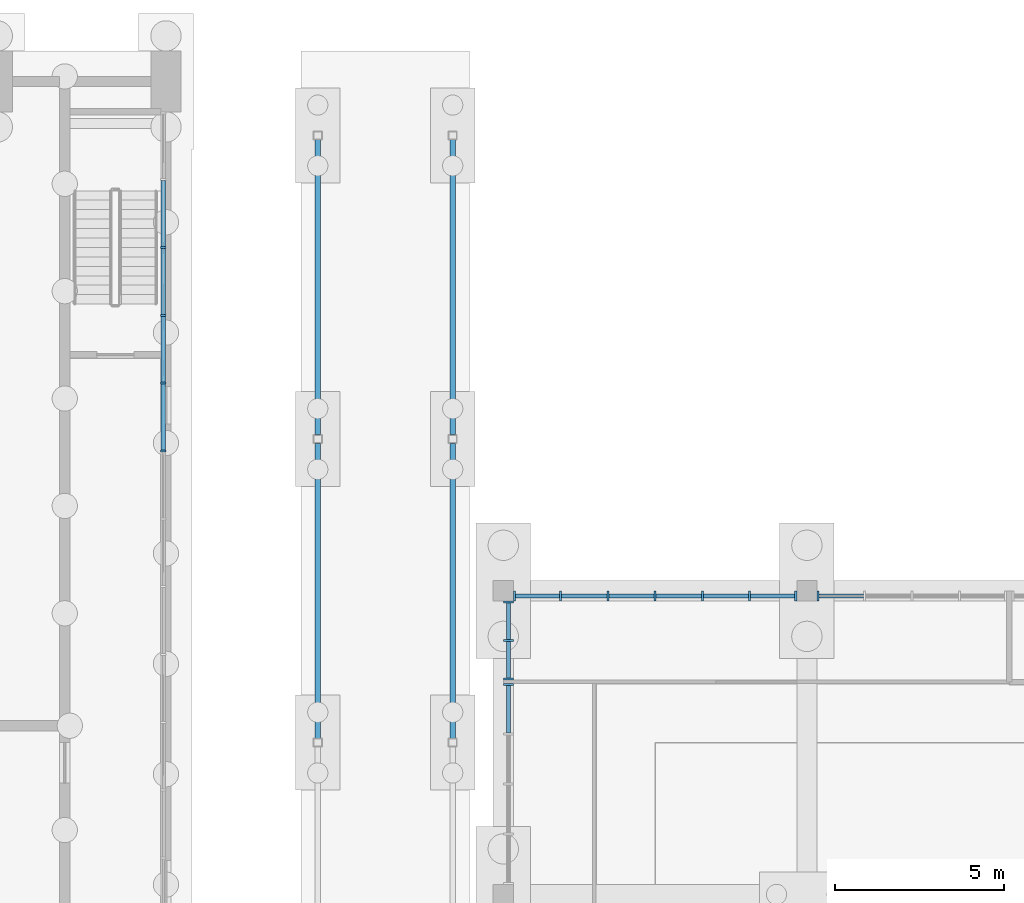
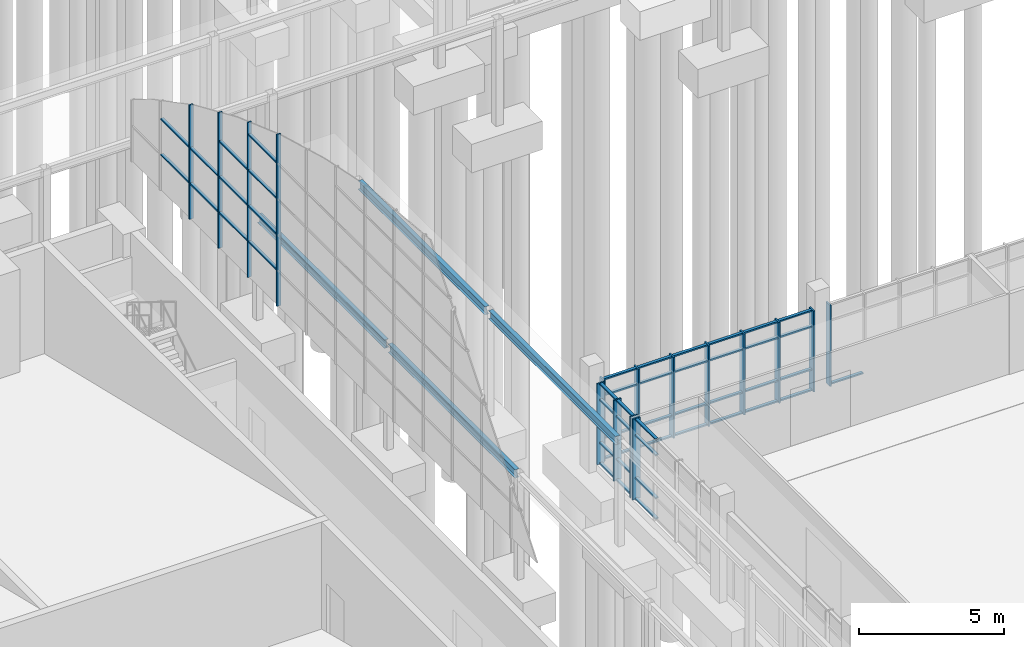
# One storey, part 33 of 106: 64 members, 4 beams, 5 elements without a shape of their own.
"""IFC4 building model written with IfcOpenShell, lengths in metres."""

import ifcopenshell
import ifcopenshell.guid

model = None  # the IFC model being written
_history = None  # IfcOwnerHistory: only IFC2X3 demands one
_inside = {}  # id of a spatial element -> (the spatial element, [elements in it])
_under = {}  # id of a project, library or spatial element -> (it, [spatial elements below it])
_declared = {}  # id of a project -> (the project, [libraries it declares])
_typed = {}  # id of a type object -> (the type object, [elements of that type])
_made_of = {}  # id of a material, layer set ... -> (it, [elements and type objects made of it])


def new_model(schema):
    """Start an empty IFC model of exactly this schema.

    Asked for "IFC4X3", IfcOpenShell would pick the latest addendum, in which some entities
    have other attributes; the version numbers below select the first issue.
    IFC2X3 requires an IfcOwnerHistory on every rooted entity: one is made here for all.
    """
    global model, _history
    if schema == "IFC4X3":
        model = ifcopenshell.file(schema_version=(4, 3, 0, 0))
    else:
        model = ifcopenshell.file(schema=schema)
    _inside.clear()
    _under.clear()
    _declared.clear()
    _typed.clear()
    _made_of.clear()
    _history = None
    if model.schema == "IFC2X3":
        org = make("IfcOrganization", Name="unknown")
        user = make(
            "IfcPersonAndOrganization",
            ThePerson=make("IfcPerson", FamilyName="unknown"),
            TheOrganization=org,
        )
        app = make(
            "IfcApplication",
            ApplicationDeveloper=org,
            Version="unknown",
            ApplicationFullName="unknown",
            ApplicationIdentifier="unknown",
        )
        _history = make(
            "IfcOwnerHistory",
            OwningUser=user,
            OwningApplication=app,
            ChangeAction="ADDED",
            CreationDate=0,
        )
    return model


def make(cls, **values):
    """One entity of the class cls with the attributes given. An attribute that is None is left unset."""
    return model.create_entity(
        cls, **{name: value for name, value in values.items() if value is not None}
    )


def rooted(cls, **values):
    """An entity with a GlobalId (a new one), such as an element, a storey or a relation."""
    return make(cls, GlobalId=ifcopenshell.guid.new(), OwnerHistory=_history, **values)


def si_unit(unit_type, name, prefix=None):
    """IfcSIUnit, for example si_unit("LENGTHUNIT", "METRE", prefix="MILLI")."""
    return make("IfcSIUnit", UnitType=unit_type, Prefix=prefix, Name=name)


def assignment(units):
    """IfcUnitAssignment: the units of a project."""
    return None if units is None else make("IfcUnitAssignment", Units=units)


def point(xyz):
    """IfcCartesianPoint."""
    return None if xyz is None else make("IfcCartesianPoint", Coordinates=xyz)


def direction(xyz):
    """IfcDirection."""
    return None if xyz is None else make("IfcDirection", DirectionRatios=xyz)


def frame(location, z_axis=None, x_axis=None):
    """IfcAxis2Placement3D, a coordinate frame: its origin and axes. An axis left out is left unset."""
    return make(
        "IfcAxis2Placement3D",
        Location=point(location),
        Axis=direction(z_axis),
        RefDirection=direction(x_axis),
    )


def frame_2d(location, x_axis=None):
    """IfcAxis2Placement2D, a coordinate frame in the plane: its origin and x axis."""
    return make(
        "IfcAxis2Placement2D", Location=point(location), RefDirection=direction(x_axis)
    )


def origin():
    """The frame at (0, 0, 0) with its axes left unset."""
    return frame((0.0, 0.0, 0.0))


def origin_2d():
    """The frame at (0, 0) in the plane with its x axis left unset."""
    return frame_2d((0.0, 0.0))


def place(relative_to, where):
    """IfcLocalPlacement: puts the frame where relative to a parent placement (None: the world)."""
    return make(
        "IfcLocalPlacement", PlacementRelTo=relative_to, RelativePlacement=where
    )


def context(
    kind, dimensions, precision=None, world=None, true_north=None, identifier=None
):
    """IfcGeometricRepresentationContext, for example the 3D "Model" context."""
    return make(
        "IfcGeometricRepresentationContext",
        ContextIdentifier=identifier,
        ContextType=kind,
        CoordinateSpaceDimension=dimensions,
        Precision=precision,
        WorldCoordinateSystem=world,
        TrueNorth=true_north,
    )


def subcontext(parent, identifier, kind, view, scale=None):
    """IfcGeometricRepresentationSubContext, for example "Body" below "Model"."""
    return make(
        "IfcGeometricRepresentationSubContext",
        ContextIdentifier=identifier,
        ContextType=kind,
        ParentContext=parent,
        TargetScale=scale,
        TargetView=view,
    )


def project(units=None, contexts=None):
    """IfcProject with its units and contexts."""
    return rooted(
        "IfcProject",
        Name="project",
        RepresentationContexts=contexts,
        UnitsInContext=assignment(units),
    )


def spatial(cls, under=None, at=None, **own):
    """A site, building, storey or space (cls), placed at a placement, below another one or the project."""
    s = rooted(cls, ObjectPlacement=at, **own)
    if under is not None:
        _under.setdefault(under.id(), (under, []))[1].append(s)
    return s


def profile(cls, at=None, kind="AREA", **sizes):
    """A parametric profile (cls). Its sizes go by their IFC names, for example OverallWidth=200.0."""
    return make(cls, ProfileType=kind, Position=at, **sizes)


def rectangle(**sizes):
    """IfcRectangleProfileDef."""
    return profile("IfcRectangleProfileDef", **sizes)


def i_section(**sizes):
    """IfcIShapeProfileDef."""
    return profile("IfcIShapeProfileDef", **sizes)


def extrude(swept, where, along, depth):
    """IfcExtrudedAreaSolid: the profile swept, set in the frame where, extruded along a direction by depth."""
    return make(
        "IfcExtrudedAreaSolid",
        SweptArea=swept,
        Position=where,
        ExtrudedDirection=direction(along),
        Depth=depth,
    )


def shape(context_of_items, identifier, shape_type, items):
    """IfcShapeRepresentation: the items that make up one representation, for example the "Body"."""
    return make(
        "IfcShapeRepresentation",
        ContextOfItems=context_of_items,
        RepresentationIdentifier=identifier,
        RepresentationType=shape_type,
        Items=items,
    )


def material(Name=None, Category=None):
    """IfcMaterial."""
    return make("IfcMaterial", Name=Name, Category=Category)


def material_profile(
    of_material, cross_section, Name=None, Category=None, Priority=None
):
    """IfcMaterialProfile: a cross section and its material."""
    return make(
        "IfcMaterialProfile",
        Name=Name,
        Material=of_material,
        Profile=cross_section,
        Priority=Priority,
        Category=Category,
    )


def profile_set(profiles, Name=None, composite=None):
    """IfcMaterialProfileSet."""
    return make(
        "IfcMaterialProfileSet",
        Name=Name,
        MaterialProfiles=profiles,
        CompositeProfile=composite,
    )


def made_of(thing, what):
    """Note that an element or type object is made of a material, layer set ...; save() writes the relation."""
    if what is not None:
        _made_of.setdefault(what.id(), (what, []))[1].append(thing)
    return thing


def type_object(cls, material=None, **own):
    """A type object (cls), such as IfcWallType, which elements share."""
    return made_of(rooted(cls, **own), material)


def element(
    cls,
    number,
    at=None,
    inside=None,
    cuts=None,
    type_object=None,
    material=None,
    context=None,
    identifier="Body",
    shape_type=None,
    held_by="IfcProductDefinitionShape",
    body=None,
    shapes=None,
    **own,
):
    """One element of the class cls, such as IfcWall. Its Tag is "e" and its number.

    at: its placement. inside: the storey or other place that contains it. cuts: it is an
    opening in that element (IfcRelVoidsElement). A single representation is given by context,
    identifier, shape_type and body (its items); several are given by shapes. held_by: the class
    of the entity that holds the representations. save() writes the other relations.
    """
    e = rooted(cls, Tag="e%d" % number, ObjectPlacement=at, **own)
    if body is not None:
        shapes = [shape(context, identifier, shape_type, body)]
    if shapes is not None:
        e.Representation = make(held_by, Representations=shapes)
    if inside is not None:
        _inside.setdefault(inside.id(), (inside, []))[1].append(e)
    if cuts is not None:
        rooted(
            "IfcRelVoidsElement", RelatingBuildingElement=cuts, RelatedOpeningElement=e
        )
    if type_object is not None:
        _typed.setdefault(type_object.id(), (type_object, []))[1].append(e)
    return made_of(e, material)


def aggregate(whole, parts):
    """IfcRelAggregates: a whole, such as a stair, and the parts it consists of."""
    return rooted("IfcRelAggregates", RelatingObject=whole, RelatedObjects=parts)


def save(model, path):
    """Write the relations noted so far, then the file.

    IfcRelAggregates (storeys below a building ...), IfcRelContainedInSpatialStructure (elements
    in a storey), IfcRelDefinesByType, IfcRelAssociatesMaterial and IfcRelDeclares: one each for
    every whole, place, type object, material and project.
    """
    for whole, parts in _under.values():
        aggregate(whole, parts)
    for where, things in _inside.values():
        rooted(
            "IfcRelContainedInSpatialStructure",
            RelatedElements=things,
            RelatingStructure=where,
        )
    for kind, things in _typed.values():
        rooted("IfcRelDefinesByType", RelatedObjects=things, RelatingType=kind)
    for what, things in _made_of.values():
        rooted("IfcRelAssociatesMaterial", RelatedObjects=things, RelatingMaterial=what)
    for by, libraries in _declared.values():
        rooted("IfcRelDeclares", RelatingContext=by, RelatedDefinitions=libraries)
    model.write(path)


model = new_model("IFC4")

# Units and contexts
model_context = context("Model", 3, precision=1e-05, world=origin(), true_north=direction((0.0, 1.0)))
body_context = subcontext(model_context, "Body", "Model", "MODEL_VIEW")
ifc_project = project(units=[si_unit("LENGTHUNIT", "METRE"), si_unit("AREAUNIT", "SQUARE_METRE"), si_unit("VOLUMEUNIT", "CUBIC_METRE"), si_unit("PLANEANGLEUNIT", "RADIAN"), si_unit("MASSUNIT", "GRAM", prefix="KILO")], contexts=[model_context])

# Site, building, storey
site_placement = place(None, origin())
site = spatial("IfcSite", under=ifc_project, at=site_placement, CompositionType="ELEMENT")
building_placement = place(site_placement, origin())
building = spatial("IfcBuilding", under=site, at=building_placement, Name="Merrow Basin Faculty of Sciences", CompositionType="ELEMENT")
storey_placement = place(building_placement, origin())
storey = spatial("IfcBuildingStorey", under=building, at=storey_placement, Name="L00", CompositionType="ELEMENT", Elevation=0.0)

# Curtain wall, members
ifc_material_1 = material(Name="Aluminium alloy 6063", Category="aluminium")
curtain_wall_type_1 = type_object("IfcCurtainWallType", Name="Arched curtain wall 160", PredefinedType="NOTDEFINED", material=ifc_material_1)
curtain_wall_1_placement = place(storey_placement, origin())
curtain_wall_1 = element("IfcCurtainWall", 1, at=curtain_wall_1_placement, inside=storey, type_object=curtain_wall_type_1, Name="East gable glazing C", PredefinedType="NOTDEFINED")
ifc_material_2 = material(Name="Aluminium alloy 6063", Category="aluminium")
ifc_material_profile_1 = material_profile(ifc_material_2, rectangle(XDim=0.159912109375, YDim=0.06005859375, at=origin_2d()))
ifc_profile_set_1 = profile_set([ifc_material_profile_1], Name="Aluminium alloy 6063")
member_type_1 = type_object("IfcMemberType", Name="Aluminium gable mullion 60x160", PredefinedType="MULLION", material=ifc_profile_set_1)
member_1_placement = place(storey_placement, frame((34.919921875, 40.14404296875, 7.5), z_axis=(0.0, 0.0, 1.0), x_axis=(1.0, 0.0, 0.0)))
member_1 = element("IfcMember", 2, at=member_1_placement, type_object=member_type_1, Name="CW4 mullion 14", PredefinedType="MULLION", context=body_context, shape_type="SweptSolid", body=[
    extrude(rectangle(XDim=0.159912109375, YDim=0.06005859375, at=origin_2d()), origin(), (0.0, 0.0, 1.0), 7.222900390625),
])
member_2_placement = place(storey_placement, frame((34.919921875, 42.156005859375, 7.5), z_axis=(0.0, 0.0, 1.0), x_axis=(1.0, 0.0, 0.0)))
member_2 = element("IfcMember", 3, at=member_2_placement, type_object=member_type_1, Name="CW4 mullion 15", PredefinedType="MULLION", context=body_context, shape_type="SweptSolid", body=[
    extrude(rectangle(XDim=0.159912109375, YDim=0.06005859375, at=origin_2d()), origin(), (0.0, 0.0, 1.0), 6.510009765625),
])
member_3_placement = place(storey_placement, frame((34.919921875, 44.1669921875, 7.5), z_axis=(0.0, 0.0, 1.0), x_axis=(1.0, 0.0, 0.0)))
member_3 = element("IfcMember", 4, at=member_3_placement, type_object=member_type_1, Name="CW4 mullion 16", PredefinedType="MULLION", context=body_context, shape_type="SweptSolid", body=[
    extrude(rectangle(XDim=0.159912109375, YDim=0.06005859375, at=origin_2d()), origin(), (0.0, 0.0, 1.0), 5.698974609375),
])
member_4_placement = place(storey_placement, frame((34.919921875, 46.177978515625, 7.5), z_axis=(0.0, 0.0, 1.0), x_axis=(1.0, 0.0, 0.0)))
member_4 = element("IfcMember", 5, at=member_4_placement, type_object=member_type_1, Name="CW4 mullion 17", PredefinedType="MULLION", context=body_context, shape_type="SweptSolid", body=[
    extrude(rectangle(XDim=0.159912109375, YDim=0.06005859375, at=origin_2d()), origin(), (0.0, 0.0, 1.0), 4.802001953125),
])
ifc_material_3 = material(Name="Aluminium alloy 6063", Category="aluminium")
ifc_material_profile_2 = material_profile(ifc_material_3, rectangle(XDim=0.1201171875, YDim=0.06005859375, at=origin_2d()))
ifc_profile_set_2 = profile_set([ifc_material_profile_2], Name="Aluminium alloy 6063")
member_type_2 = type_object("IfcMemberType", Name="Aluminium gable transom 60x120", PredefinedType="USERDEFINED", material=ifc_profile_set_2)
member_5_placement = place(storey_placement, frame((34.919921875, 40.174072265625, 9.0), z_axis=(0.0, 1.0, 0.0), x_axis=(-1.0, 0.0, 0.0)))
member_5 = element("IfcMember", 6, at=member_5_placement, type_object=member_type_2, Name="CW4 transom 14.1", ObjectType="TRANSOM", PredefinedType="USERDEFINED", context=body_context, shape_type="SweptSolid", body=[
    extrude(rectangle(XDim=0.1201171875, YDim=0.06005859375, at=origin_2d()), origin(), (0.0, 0.0, 1.0), 1.951904296875),
])
member_6_placement = place(storey_placement, frame((34.919921875, 40.174072265625, 10.5), z_axis=(0.0, 1.0, 0.0), x_axis=(-1.0, 0.0, 0.0)))
member_6 = element("IfcMember", 7, at=member_6_placement, type_object=member_type_2, Name="CW4 transom 14.2", ObjectType="TRANSOM", PredefinedType="USERDEFINED", context=body_context, shape_type="SweptSolid", body=[
    extrude(rectangle(XDim=0.1201171875, YDim=0.06005859375, at=origin_2d()), origin(), (0.0, 0.0, 1.0), 1.951904296875),
])
member_7_placement = place(storey_placement, frame((34.919921875, 40.174072265625, 12.0), z_axis=(0.0, 1.0, 0.0), x_axis=(-1.0, 0.0, 0.0)))
member_7 = element("IfcMember", 8, at=member_7_placement, type_object=member_type_2, Name="CW4 transom 14.3", ObjectType="TRANSOM", PredefinedType="USERDEFINED", context=body_context, shape_type="SweptSolid", body=[
    extrude(rectangle(XDim=0.1201171875, YDim=0.06005859375, at=origin_2d()), origin(), (0.0, 0.0, 1.0), 1.951904296875),
])
member_8_placement = place(storey_placement, frame((34.919921875, 40.174072265625, 13.5), z_axis=(0.0, 1.0, 0.0), x_axis=(-1.0, 0.0, 0.0)))
member_8 = element("IfcMember", 9, at=member_8_placement, type_object=member_type_2, Name="CW4 transom 14.4", ObjectType="TRANSOM", PredefinedType="USERDEFINED", context=body_context, shape_type="SweptSolid", body=[
    extrude(rectangle(XDim=0.1201171875, YDim=0.06005859375, at=origin_2d()), origin(), (0.0, 0.0, 1.0), 1.951904296875),
])
member_9_placement = place(storey_placement, frame((34.919921875, 42.18603515625, 9.0), z_axis=(0.0, 1.0, 0.0), x_axis=(-1.0, 0.0, 0.0)))
member_9 = element("IfcMember", 10, at=member_9_placement, type_object=member_type_2, Name="CW4 transom 15.1", ObjectType="TRANSOM", PredefinedType="USERDEFINED", context=body_context, shape_type="SweptSolid", body=[
    extrude(rectangle(XDim=0.1201171875, YDim=0.06005859375, at=origin_2d()), origin(), (0.0, 0.0, 1.0), 1.950927734375),
])
member_10_placement = place(storey_placement, frame((34.919921875, 42.18603515625, 10.5), z_axis=(0.0, 1.0, 0.0), x_axis=(-1.0, 0.0, 0.0)))
member_10 = element("IfcMember", 11, at=member_10_placement, type_object=member_type_2, Name="CW4 transom 15.2", ObjectType="TRANSOM", PredefinedType="USERDEFINED", context=body_context, shape_type="SweptSolid", body=[
    extrude(rectangle(XDim=0.1201171875, YDim=0.06005859375, at=origin_2d()), origin(), (0.0, 0.0, 1.0), 1.950927734375),
])
member_11_placement = place(storey_placement, frame((34.919921875, 42.18603515625, 12.0), z_axis=(0.0, 1.0, 0.0), x_axis=(-1.0, 0.0, 0.0)))
member_11 = element("IfcMember", 12, at=member_11_placement, type_object=member_type_2, Name="CW4 transom 15.3", ObjectType="TRANSOM", PredefinedType="USERDEFINED", context=body_context, shape_type="SweptSolid", body=[
    extrude(rectangle(XDim=0.1201171875, YDim=0.06005859375, at=origin_2d()), origin(), (0.0, 0.0, 1.0), 1.950927734375),
])
member_12_placement = place(storey_placement, frame((34.919921875, 44.197021484375, 9.0), z_axis=(0.0, 1.0, 0.0), x_axis=(-1.0, 0.0, 0.0)))
member_12 = element("IfcMember", 13, at=member_12_placement, type_object=member_type_2, Name="CW4 transom 16.1", ObjectType="TRANSOM", PredefinedType="USERDEFINED", context=body_context, shape_type="SweptSolid", body=[
    extrude(rectangle(XDim=0.1201171875, YDim=0.06005859375, at=origin_2d()), origin(), (0.0, 0.0, 1.0), 1.950927734375),
])
member_13_placement = place(storey_placement, frame((34.919921875, 44.197021484375, 10.5), z_axis=(0.0, 1.0, 0.0), x_axis=(-1.0, 0.0, 0.0)))
member_13 = element("IfcMember", 14, at=member_13_placement, type_object=member_type_2, Name="CW4 transom 16.2", ObjectType="TRANSOM", PredefinedType="USERDEFINED", context=body_context, shape_type="SweptSolid", body=[
    extrude(rectangle(XDim=0.1201171875, YDim=0.06005859375, at=origin_2d()), origin(), (0.0, 0.0, 1.0), 1.950927734375),
])
member_14_placement = place(storey_placement, frame((34.919921875, 46.2080078125, 9.0), z_axis=(0.0, 1.0, 0.0), x_axis=(-1.0, 0.0, 0.0)))
member_14 = element("IfcMember", 15, at=member_14_placement, type_object=member_type_2, Name="CW4 transom 17.1", ObjectType="TRANSOM", PredefinedType="USERDEFINED", context=body_context, shape_type="SweptSolid", body=[
    extrude(rectangle(XDim=0.1201171875, YDim=0.06005859375, at=origin_2d()), origin(), (0.0, 0.0, 1.0), 1.950927734375),
])
member_15_placement = place(storey_placement, frame((34.919921875, 46.2080078125, 10.5), z_axis=(0.0, 1.0, 0.0), x_axis=(-1.0, 0.0, 0.0)))
member_15 = element("IfcMember", 16, at=member_15_placement, type_object=member_type_2, Name="CW4 transom 17.2", ObjectType="TRANSOM", PredefinedType="USERDEFINED", context=body_context, shape_type="SweptSolid", body=[
    extrude(rectangle(XDim=0.1201171875, YDim=0.06005859375, at=origin_2d()), origin(), (0.0, 0.0, 1.0), 1.950927734375),
])
aggregate(curtain_wall_1, [member_1, member_2, member_3, member_4, member_5, member_6, member_7, member_8, member_9, member_10, member_11, member_12, member_13, member_14, member_15])

# Curtain wall, member
ifc_material_4 = material(Name="Aluminium alloy 6063", Category="aluminium")
curtain_wall_type_2 = type_object("IfcCurtainWallType", Name="Atrium concourse curtain wall 300", PredefinedType="NOTDEFINED", material=ifc_material_4)
curtain_wall_2_placement = place(storey_placement, origin())
curtain_wall_2 = element("IfcCurtainWall", 17, at=curtain_wall_2_placement, inside=storey, type_object=curtain_wall_type_2, Name="W curtain wall L00 4", PredefinedType="NOTDEFINED")
ifc_material_5 = material(Name="Aluminium alloy 6063", Category="aluminium")
ifc_material_profile_3 = material_profile(ifc_material_5, rectangle(XDim=0.300048828125, YDim=0.06005859375, at=origin_2d()))
ifc_profile_set_3 = profile_set([ifc_material_profile_3], Name="Aluminium alloy 6063")
member_type_3 = type_object("IfcMemberType", Name="Aluminium mullion 60x300", PredefinedType="MULLION", material=ifc_profile_set_3)
member_16_placement = place(storey_placement, frame((45.14990234375, 33.219970703125, 0.0), z_axis=(0.0, 0.0, 1.0), x_axis=(-1.0, 0.0, 0.0)))
member_16 = element("IfcMember", 18, at=member_16_placement, type_object=member_type_3, Name="CW6 mullion 5", PredefinedType="MULLION", context=body_context, shape_type="SweptSolid", body=[
    extrude(rectangle(XDim=0.300048828125, YDim=0.06005859375, at=origin_2d()), origin(), (0.0, 0.0, 1.0), 3.39990234375),
])

# Curtain wall, members
curtain_wall_3_placement = place(storey_placement, origin())
curtain_wall_3 = element("IfcCurtainWall", 19, at=curtain_wall_3_placement, inside=storey, type_object=curtain_wall_type_2, Name="W curtain wall L00 5", PredefinedType="NOTDEFINED")
member_17_placement = place(storey_placement, frame((45.14990234375, 33.3798828125, 0.0), z_axis=(0.0, 0.0, 1.0), x_axis=(-1.0, 0.0, 0.0)))
member_17 = element("IfcMember", 20, at=member_17_placement, type_object=member_type_3, Name="CW6 mullion 1", PredefinedType="MULLION", context=body_context, shape_type="SweptSolid", body=[
    extrude(rectangle(XDim=0.300048828125, YDim=0.06005859375, at=origin_2d()), origin(), (0.0, 0.0, 1.0), 3.39990234375),
])
member_18_placement = place(storey_placement, frame((45.14990234375, 34.52490234375, 0.0), z_axis=(0.0, 0.0, 1.0), x_axis=(-1.0, 0.0, 0.0)))
member_18 = element("IfcMember", 21, at=member_18_placement, type_object=member_type_3, Name="CW6 mullion 2", PredefinedType="MULLION", context=body_context, shape_type="SweptSolid", body=[
    extrude(rectangle(XDim=0.300048828125, YDim=0.06005859375, at=origin_2d()), origin(), (0.0, 0.0, 1.0), 3.39990234375),
])
member_19_placement = place(storey_placement, frame((45.14990234375, 35.669921875, 0.0), z_axis=(0.0, 0.0, 1.0), x_axis=(-1.0, 0.0, 0.0)))
member_19 = element("IfcMember", 22, at=member_19_placement, type_object=member_type_3, Name="CW6 mullion 3", PredefinedType="MULLION", context=body_context, shape_type="SweptSolid", body=[
    extrude(rectangle(XDim=0.300048828125, YDim=0.06005859375, at=origin_2d()), origin(), (0.0, 0.0, 1.0), 3.39990234375),
])

curtain_wall_4_placement = place(storey_placement, origin())
curtain_wall_4 = element("IfcCurtainWall", 23, at=curtain_wall_4_placement, inside=storey, type_object=curtain_wall_type_2, Name="N curtain wall L00 1", PredefinedType="NOTDEFINED")
member_20_placement = place(storey_placement, frame((45.330078125, 35.85009765625, 0.0), z_axis=(0.0, 0.0, 1.0), x_axis=(0.0, 1.0, 0.0)))
member_20 = element("IfcMember", 24, at=member_20_placement, type_object=member_type_3, Name="CW6 mullion 1", PredefinedType="MULLION", context=body_context, shape_type="SweptSolid", body=[
    extrude(rectangle(XDim=0.300048828125, YDim=0.06005859375, at=origin_2d()), origin(), (0.0, 0.0, 1.0), 3.39990234375),
])
member_21_placement = place(storey_placement, frame((46.699951171875, 35.85009765625, 0.0), z_axis=(0.0, 0.0, 1.0), x_axis=(0.0, 1.0, 0.0)))
member_21 = element("IfcMember", 25, at=member_21_placement, type_object=member_type_3, Name="CW6 mullion 2", PredefinedType="MULLION", context=body_context, shape_type="SweptSolid", body=[
    extrude(rectangle(XDim=0.300048828125, YDim=0.06005859375, at=origin_2d()), origin(), (0.0, 0.0, 1.0), 3.39990234375),
])
member_22_placement = place(storey_placement, frame((48.10009765625, 35.85009765625, 0.0), z_axis=(0.0, 0.0, 1.0), x_axis=(0.0, 1.0, 0.0)))
member_22 = element("IfcMember", 26, at=member_22_placement, type_object=member_type_3, Name="CW6 mullion 3", PredefinedType="MULLION", context=body_context, shape_type="SweptSolid", body=[
    extrude(rectangle(XDim=0.300048828125, YDim=0.06005859375, at=origin_2d()), origin(), (0.0, 0.0, 1.0), 3.39990234375),
])
member_23_placement = place(storey_placement, frame((49.5, 35.85009765625, 0.0), z_axis=(0.0, 0.0, 1.0), x_axis=(0.0, 1.0, 0.0)))
member_23 = element("IfcMember", 27, at=member_23_placement, type_object=member_type_3, Name="CW6 mullion 4", PredefinedType="MULLION", context=body_context, shape_type="SweptSolid", body=[
    extrude(rectangle(XDim=0.300048828125, YDim=0.06005859375, at=origin_2d()), origin(), (0.0, 0.0, 1.0), 3.39990234375),
])
member_24_placement = place(storey_placement, frame((50.89990234375, 35.85009765625, 0.0), z_axis=(0.0, 0.0, 1.0), x_axis=(0.0, 1.0, 0.0)))
member_24 = element("IfcMember", 28, at=member_24_placement, type_object=member_type_3, Name="CW6 mullion 5", PredefinedType="MULLION", context=body_context, shape_type="SweptSolid", body=[
    extrude(rectangle(XDim=0.300048828125, YDim=0.06005859375, at=origin_2d()), origin(), (0.0, 0.0, 1.0), 3.39990234375),
])
member_25_placement = place(storey_placement, frame((52.300048828125, 35.85009765625, 0.0), z_axis=(0.0, 0.0, 1.0), x_axis=(0.0, 1.0, 0.0)))
member_25 = element("IfcMember", 29, at=member_25_placement, type_object=member_type_3, Name="CW6 mullion 6", PredefinedType="MULLION", context=body_context, shape_type="SweptSolid", body=[
    extrude(rectangle(XDim=0.300048828125, YDim=0.06005859375, at=origin_2d()), origin(), (0.0, 0.0, 1.0), 3.39990234375),
])
member_26_placement = place(storey_placement, frame((53.669921875, 35.85009765625, 0.0), z_axis=(0.0, 0.0, 1.0), x_axis=(0.0, 1.0, 0.0)))
member_26 = element("IfcMember", 30, at=member_26_placement, type_object=member_type_3, Name="CW6 mullion 7", PredefinedType="MULLION", context=body_context, shape_type="SweptSolid", body=[
    extrude(rectangle(XDim=0.300048828125, YDim=0.06005859375, at=origin_2d()), origin(), (0.0, 0.0, 1.0), 3.39990234375),
])

# Curtain wall, member
curtain_wall_5_placement = place(storey_placement, origin())
curtain_wall_5 = element("IfcCurtainWall", 31, at=curtain_wall_5_placement, inside=storey, type_object=curtain_wall_type_2, Name="N curtain wall L00 2", PredefinedType="NOTDEFINED")
member_27_placement = place(storey_placement, frame((54.330078125, 35.85009765625, 0.0), z_axis=(0.0, 0.0, 1.0), x_axis=(0.0, 1.0, 0.0)))
member_27 = element("IfcMember", 32, at=member_27_placement, type_object=member_type_3, Name="CW6 mullion 1", PredefinedType="MULLION", context=body_context, shape_type="SweptSolid", body=[
    extrude(rectangle(XDim=0.300048828125, YDim=0.06005859375, at=origin_2d()), origin(), (0.0, 0.0, 1.0), 3.39990234375),
])

# Member
ifc_material_6 = material(Name="Aluminium alloy 6063", Category="aluminium")
ifc_material_profile_4 = material_profile(ifc_material_6, rectangle(XDim=0.1201171875, YDim=0.06005859375, at=origin_2d()))
ifc_profile_set_4 = profile_set([ifc_material_profile_4], Name="Aluminium alloy 6063")
member_type_4 = type_object("IfcMemberType", Name="Aluminium transom 60x120", PredefinedType="USERDEFINED", material=ifc_profile_set_4)
member_28_placement = place(storey_placement, frame((45.14990234375, 31.79248046875, 0.030029296875), z_axis=(0.0, 1.0, 0.0), x_axis=(-1.0, 0.0, 0.0)))
member_28 = element("IfcMember", 33, at=member_28_placement, type_object=member_type_4, Name="CW6 transom 4.1", ObjectType="TRANSOM", PredefinedType="USERDEFINED", context=body_context, shape_type="SweptSolid", body=[
    extrude(rectangle(XDim=0.1201171875, YDim=0.06005859375, at=origin_2d()), origin(), (0.0, 0.0, 1.0), 1.3974609375),
])

member_29_placement = place(storey_placement, frame((45.14990234375, 31.79248046875, 0.89990234375), z_axis=(0.0, 1.0, 0.0), x_axis=(-1.0, 0.0, 0.0)))
member_29 = element("IfcMember", 34, at=member_29_placement, type_object=member_type_4, Name="CW6 transom 4.2", ObjectType="TRANSOM", PredefinedType="USERDEFINED", context=body_context, shape_type="SweptSolid", body=[
    extrude(rectangle(XDim=0.1201171875, YDim=0.06005859375, at=origin_2d()), origin(), (0.0, 0.0, 1.0), 1.3974609375),
])

member_30_placement = place(storey_placement, frame((45.14990234375, 31.79248046875, 2.699951171875), z_axis=(0.0, 1.0, 0.0), x_axis=(-1.0, 0.0, 0.0)))
member_30 = element("IfcMember", 35, at=member_30_placement, type_object=member_type_4, Name="CW6 transom 4.3", ObjectType="TRANSOM", PredefinedType="USERDEFINED", context=body_context, shape_type="SweptSolid", body=[
    extrude(rectangle(XDim=0.1201171875, YDim=0.06005859375, at=origin_2d()), origin(), (0.0, 0.0, 1.0), 1.3974609375),
])

member_31_placement = place(storey_placement, frame((45.14990234375, 31.79248046875, 3.3701171875), z_axis=(0.0, 1.0, 0.0), x_axis=(-1.0, 0.0, 0.0)))
member_31 = element("IfcMember", 36, at=member_31_placement, type_object=member_type_4, Name="CW6 transom 4.4", ObjectType="TRANSOM", PredefinedType="USERDEFINED", context=body_context, shape_type="SweptSolid", body=[
    extrude(rectangle(XDim=0.1201171875, YDim=0.06005859375, at=origin_2d()), origin(), (0.0, 0.0, 1.0), 1.3974609375),
])

aggregate(curtain_wall_2, [member_16, member_28, member_29, member_30, member_31])

member_32_placement = place(storey_placement, frame((45.14990234375, 33.409912109375, 0.030029296875), z_axis=(0.0, 1.0, 0.0), x_axis=(-1.0, 0.0, 0.0)))
member_32 = element("IfcMember", 37, at=member_32_placement, type_object=member_type_4, Name="CW6 transom 1.1", ObjectType="TRANSOM", PredefinedType="USERDEFINED", context=body_context, shape_type="SweptSolid", body=[
    extrude(rectangle(XDim=0.1201171875, YDim=0.06005859375, at=origin_2d()), origin(), (0.0, 0.0, 1.0), 1.085205078125),
])

member_33_placement = place(storey_placement, frame((45.14990234375, 33.409912109375, 0.89990234375), z_axis=(0.0, 1.0, 0.0), x_axis=(-1.0, 0.0, 0.0)))
member_33 = element("IfcMember", 38, at=member_33_placement, type_object=member_type_4, Name="CW6 transom 1.2", ObjectType="TRANSOM", PredefinedType="USERDEFINED", context=body_context, shape_type="SweptSolid", body=[
    extrude(rectangle(XDim=0.1201171875, YDim=0.06005859375, at=origin_2d()), origin(), (0.0, 0.0, 1.0), 1.085205078125),
])

member_34_placement = place(storey_placement, frame((45.14990234375, 33.409912109375, 2.699951171875), z_axis=(0.0, 1.0, 0.0), x_axis=(-1.0, 0.0, 0.0)))
member_34 = element("IfcMember", 39, at=member_34_placement, type_object=member_type_4, Name="CW6 transom 1.3", ObjectType="TRANSOM", PredefinedType="USERDEFINED", context=body_context, shape_type="SweptSolid", body=[
    extrude(rectangle(XDim=0.1201171875, YDim=0.06005859375, at=origin_2d()), origin(), (0.0, 0.0, 1.0), 1.085205078125),
])

member_35_placement = place(storey_placement, frame((45.14990234375, 33.409912109375, 3.3701171875), z_axis=(0.0, 1.0, 0.0), x_axis=(-1.0, 0.0, 0.0)))
member_35 = element("IfcMember", 40, at=member_35_placement, type_object=member_type_4, Name="CW6 transom 1.4", ObjectType="TRANSOM", PredefinedType="USERDEFINED", context=body_context, shape_type="SweptSolid", body=[
    extrude(rectangle(XDim=0.1201171875, YDim=0.06005859375, at=origin_2d()), origin(), (0.0, 0.0, 1.0), 1.085205078125),
])

member_36_placement = place(storey_placement, frame((45.14990234375, 34.554931640625, 0.030029296875), z_axis=(0.0, 1.0, 0.0), x_axis=(-1.0, 0.0, 0.0)))
member_36 = element("IfcMember", 41, at=member_36_placement, type_object=member_type_4, Name="CW6 transom 2.1", ObjectType="TRANSOM", PredefinedType="USERDEFINED", context=body_context, shape_type="SweptSolid", body=[
    extrude(rectangle(XDim=0.1201171875, YDim=0.06005859375, at=origin_2d()), origin(), (0.0, 0.0, 1.0), 1.0849609375),
])

member_37_placement = place(storey_placement, frame((45.14990234375, 34.554931640625, 0.89990234375), z_axis=(0.0, 1.0, 0.0), x_axis=(-1.0, 0.0, 0.0)))
member_37 = element("IfcMember", 42, at=member_37_placement, type_object=member_type_4, Name="CW6 transom 2.2", ObjectType="TRANSOM", PredefinedType="USERDEFINED", context=body_context, shape_type="SweptSolid", body=[
    extrude(rectangle(XDim=0.1201171875, YDim=0.06005859375, at=origin_2d()), origin(), (0.0, 0.0, 1.0), 1.0849609375),
])

member_38_placement = place(storey_placement, frame((45.14990234375, 34.554931640625, 2.699951171875), z_axis=(0.0, 1.0, 0.0), x_axis=(-1.0, 0.0, 0.0)))
member_38 = element("IfcMember", 43, at=member_38_placement, type_object=member_type_4, Name="CW6 transom 2.3", ObjectType="TRANSOM", PredefinedType="USERDEFINED", context=body_context, shape_type="SweptSolid", body=[
    extrude(rectangle(XDim=0.1201171875, YDim=0.06005859375, at=origin_2d()), origin(), (0.0, 0.0, 1.0), 1.0849609375),
])

member_39_placement = place(storey_placement, frame((45.14990234375, 34.554931640625, 3.3701171875), z_axis=(0.0, 1.0, 0.0), x_axis=(-1.0, 0.0, 0.0)))
member_39 = element("IfcMember", 44, at=member_39_placement, type_object=member_type_4, Name="CW6 transom 2.4", ObjectType="TRANSOM", PredefinedType="USERDEFINED", context=body_context, shape_type="SweptSolid", body=[
    extrude(rectangle(XDim=0.1201171875, YDim=0.06005859375, at=origin_2d()), origin(), (0.0, 0.0, 1.0), 1.0849609375),
])

aggregate(curtain_wall_3, [member_17, member_18, member_19, member_32, member_33, member_34, member_35, member_36, member_37, member_38, member_39])

member_40_placement = place(storey_placement, frame((45.360107421875, 35.85009765625, 0.030029296875), z_axis=(1.0, 0.0, 0.0), x_axis=(0.0, 1.0, 0.0)))
member_40 = element("IfcMember", 45, at=member_40_placement, type_object=member_type_4, Name="CW6 transom 1.1", ObjectType="TRANSOM", PredefinedType="USERDEFINED", context=body_context, shape_type="SweptSolid", body=[
    extrude(rectangle(XDim=0.1201171875, YDim=0.06005859375, at=origin_2d()), origin(), (0.0, 0.0, 1.0), 1.309814453125),
])

member_41_placement = place(storey_placement, frame((45.360107421875, 35.85009765625, 0.89990234375), z_axis=(1.0, 0.0, 0.0), x_axis=(0.0, 1.0, 0.0)))
member_41 = element("IfcMember", 46, at=member_41_placement, type_object=member_type_4, Name="CW6 transom 1.2", ObjectType="TRANSOM", PredefinedType="USERDEFINED", context=body_context, shape_type="SweptSolid", body=[
    extrude(rectangle(XDim=0.1201171875, YDim=0.06005859375, at=origin_2d()), origin(), (0.0, 0.0, 1.0), 1.309814453125),
])

member_42_placement = place(storey_placement, frame((45.360107421875, 35.85009765625, 2.699951171875), z_axis=(1.0, 0.0, 0.0), x_axis=(0.0, 1.0, 0.0)))
member_42 = element("IfcMember", 47, at=member_42_placement, type_object=member_type_4, Name="CW6 transom 1.3", ObjectType="TRANSOM", PredefinedType="USERDEFINED", context=body_context, shape_type="SweptSolid", body=[
    extrude(rectangle(XDim=0.1201171875, YDim=0.06005859375, at=origin_2d()), origin(), (0.0, 0.0, 1.0), 1.309814453125),
])

member_43_placement = place(storey_placement, frame((45.360107421875, 35.85009765625, 3.3701171875), z_axis=(1.0, 0.0, 0.0), x_axis=(0.0, 1.0, 0.0)))
member_43 = element("IfcMember", 48, at=member_43_placement, type_object=member_type_4, Name="CW6 transom 1.4", ObjectType="TRANSOM", PredefinedType="USERDEFINED", context=body_context, shape_type="SweptSolid", body=[
    extrude(rectangle(XDim=0.1201171875, YDim=0.06005859375, at=origin_2d()), origin(), (0.0, 0.0, 1.0), 1.309814453125),
])

member_44_placement = place(storey_placement, frame((46.72998046875, 35.85009765625, 0.030029296875), z_axis=(1.0, 0.0, 0.0), x_axis=(0.0, 1.0, 0.0)))
member_44 = element("IfcMember", 49, at=member_44_placement, type_object=member_type_4, Name="CW6 transom 2.1", ObjectType="TRANSOM", PredefinedType="USERDEFINED", context=body_context, shape_type="SweptSolid", body=[
    extrude(rectangle(XDim=0.1201171875, YDim=0.06005859375, at=origin_2d()), origin(), (0.0, 0.0, 1.0), 1.340087890625),
])

member_45_placement = place(storey_placement, frame((46.72998046875, 35.85009765625, 0.89990234375), z_axis=(1.0, 0.0, 0.0), x_axis=(0.0, 1.0, 0.0)))
member_45 = element("IfcMember", 50, at=member_45_placement, type_object=member_type_4, Name="CW6 transom 2.2", ObjectType="TRANSOM", PredefinedType="USERDEFINED", context=body_context, shape_type="SweptSolid", body=[
    extrude(rectangle(XDim=0.1201171875, YDim=0.06005859375, at=origin_2d()), origin(), (0.0, 0.0, 1.0), 1.340087890625),
])

member_46_placement = place(storey_placement, frame((46.72998046875, 35.85009765625, 2.699951171875), z_axis=(1.0, 0.0, 0.0), x_axis=(0.0, 1.0, 0.0)))
member_46 = element("IfcMember", 51, at=member_46_placement, type_object=member_type_4, Name="CW6 transom 2.3", ObjectType="TRANSOM", PredefinedType="USERDEFINED", context=body_context, shape_type="SweptSolid", body=[
    extrude(rectangle(XDim=0.1201171875, YDim=0.06005859375, at=origin_2d()), origin(), (0.0, 0.0, 1.0), 1.340087890625),
])

member_47_placement = place(storey_placement, frame((46.72998046875, 35.85009765625, 3.3701171875), z_axis=(1.0, 0.0, 0.0), x_axis=(0.0, 1.0, 0.0)))
member_47 = element("IfcMember", 52, at=member_47_placement, type_object=member_type_4, Name="CW6 transom 2.4", ObjectType="TRANSOM", PredefinedType="USERDEFINED", context=body_context, shape_type="SweptSolid", body=[
    extrude(rectangle(XDim=0.1201171875, YDim=0.06005859375, at=origin_2d()), origin(), (0.0, 0.0, 1.0), 1.340087890625),
])

member_48_placement = place(storey_placement, frame((48.1298828125, 35.85009765625, 0.030029296875), z_axis=(1.0, 0.0, 0.0), x_axis=(0.0, 1.0, 0.0)))
member_48 = element("IfcMember", 53, at=member_48_placement, type_object=member_type_4, Name="CW6 transom 3.1", ObjectType="TRANSOM", PredefinedType="USERDEFINED", context=body_context, shape_type="SweptSolid", body=[
    extrude(rectangle(XDim=0.1201171875, YDim=0.06005859375, at=origin_2d()), origin(), (0.0, 0.0, 1.0), 1.340087890625),
])

member_49_placement = place(storey_placement, frame((48.1298828125, 35.85009765625, 0.89990234375), z_axis=(1.0, 0.0, 0.0), x_axis=(0.0, 1.0, 0.0)))
member_49 = element("IfcMember", 54, at=member_49_placement, type_object=member_type_4, Name="CW6 transom 3.2", ObjectType="TRANSOM", PredefinedType="USERDEFINED", context=body_context, shape_type="SweptSolid", body=[
    extrude(rectangle(XDim=0.1201171875, YDim=0.06005859375, at=origin_2d()), origin(), (0.0, 0.0, 1.0), 1.340087890625),
])

member_50_placement = place(storey_placement, frame((48.1298828125, 35.85009765625, 2.699951171875), z_axis=(1.0, 0.0, 0.0), x_axis=(0.0, 1.0, 0.0)))
member_50 = element("IfcMember", 55, at=member_50_placement, type_object=member_type_4, Name="CW6 transom 3.3", ObjectType="TRANSOM", PredefinedType="USERDEFINED", context=body_context, shape_type="SweptSolid", body=[
    extrude(rectangle(XDim=0.1201171875, YDim=0.06005859375, at=origin_2d()), origin(), (0.0, 0.0, 1.0), 1.340087890625),
])

member_51_placement = place(storey_placement, frame((48.1298828125, 35.85009765625, 3.3701171875), z_axis=(1.0, 0.0, 0.0), x_axis=(0.0, 1.0, 0.0)))
member_51 = element("IfcMember", 56, at=member_51_placement, type_object=member_type_4, Name="CW6 transom 3.4", ObjectType="TRANSOM", PredefinedType="USERDEFINED", context=body_context, shape_type="SweptSolid", body=[
    extrude(rectangle(XDim=0.1201171875, YDim=0.06005859375, at=origin_2d()), origin(), (0.0, 0.0, 1.0), 1.340087890625),
])

member_52_placement = place(storey_placement, frame((49.530029296875, 35.85009765625, 0.030029296875), z_axis=(1.0, 0.0, 0.0), x_axis=(0.0, 1.0, 0.0)))
member_52 = element("IfcMember", 57, at=member_52_placement, type_object=member_type_4, Name="CW6 transom 4.1", ObjectType="TRANSOM", PredefinedType="USERDEFINED", context=body_context, shape_type="SweptSolid", body=[
    extrude(rectangle(XDim=0.1201171875, YDim=0.06005859375, at=origin_2d()), origin(), (0.0, 0.0, 1.0), 1.340087890625),
])

member_53_placement = place(storey_placement, frame((49.530029296875, 35.85009765625, 0.89990234375), z_axis=(1.0, 0.0, 0.0), x_axis=(0.0, 1.0, 0.0)))
member_53 = element("IfcMember", 58, at=member_53_placement, type_object=member_type_4, Name="CW6 transom 4.2", ObjectType="TRANSOM", PredefinedType="USERDEFINED", context=body_context, shape_type="SweptSolid", body=[
    extrude(rectangle(XDim=0.1201171875, YDim=0.06005859375, at=origin_2d()), origin(), (0.0, 0.0, 1.0), 1.340087890625),
])

member_54_placement = place(storey_placement, frame((49.530029296875, 35.85009765625, 2.699951171875), z_axis=(1.0, 0.0, 0.0), x_axis=(0.0, 1.0, 0.0)))
member_54 = element("IfcMember", 59, at=member_54_placement, type_object=member_type_4, Name="CW6 transom 4.3", ObjectType="TRANSOM", PredefinedType="USERDEFINED", context=body_context, shape_type="SweptSolid", body=[
    extrude(rectangle(XDim=0.1201171875, YDim=0.06005859375, at=origin_2d()), origin(), (0.0, 0.0, 1.0), 1.340087890625),
])

member_55_placement = place(storey_placement, frame((49.530029296875, 35.85009765625, 3.3701171875), z_axis=(1.0, 0.0, 0.0), x_axis=(0.0, 1.0, 0.0)))
member_55 = element("IfcMember", 60, at=member_55_placement, type_object=member_type_4, Name="CW6 transom 4.4", ObjectType="TRANSOM", PredefinedType="USERDEFINED", context=body_context, shape_type="SweptSolid", body=[
    extrude(rectangle(XDim=0.1201171875, YDim=0.06005859375, at=origin_2d()), origin(), (0.0, 0.0, 1.0), 1.340087890625),
])

member_56_placement = place(storey_placement, frame((50.929931640625, 35.85009765625, 0.030029296875), z_axis=(1.0, 0.0, 0.0), x_axis=(0.0, 1.0, 0.0)))
member_56 = element("IfcMember", 61, at=member_56_placement, type_object=member_type_4, Name="CW6 transom 5.1", ObjectType="TRANSOM", PredefinedType="USERDEFINED", context=body_context, shape_type="SweptSolid", body=[
    extrude(rectangle(XDim=0.1201171875, YDim=0.06005859375, at=origin_2d()), origin(), (0.0, 0.0, 1.0), 1.340087890625),
])

member_57_placement = place(storey_placement, frame((50.929931640625, 35.85009765625, 0.89990234375), z_axis=(1.0, 0.0, 0.0), x_axis=(0.0, 1.0, 0.0)))
member_57 = element("IfcMember", 62, at=member_57_placement, type_object=member_type_4, Name="CW6 transom 5.2", ObjectType="TRANSOM", PredefinedType="USERDEFINED", context=body_context, shape_type="SweptSolid", body=[
    extrude(rectangle(XDim=0.1201171875, YDim=0.06005859375, at=origin_2d()), origin(), (0.0, 0.0, 1.0), 1.340087890625),
])

member_58_placement = place(storey_placement, frame((50.929931640625, 35.85009765625, 2.699951171875), z_axis=(1.0, 0.0, 0.0), x_axis=(0.0, 1.0, 0.0)))
member_58 = element("IfcMember", 63, at=member_58_placement, type_object=member_type_4, Name="CW6 transom 5.3", ObjectType="TRANSOM", PredefinedType="USERDEFINED", context=body_context, shape_type="SweptSolid", body=[
    extrude(rectangle(XDim=0.1201171875, YDim=0.06005859375, at=origin_2d()), origin(), (0.0, 0.0, 1.0), 1.340087890625),
])

member_59_placement = place(storey_placement, frame((50.929931640625, 35.85009765625, 3.3701171875), z_axis=(1.0, 0.0, 0.0), x_axis=(0.0, 1.0, 0.0)))
member_59 = element("IfcMember", 64, at=member_59_placement, type_object=member_type_4, Name="CW6 transom 5.4", ObjectType="TRANSOM", PredefinedType="USERDEFINED", context=body_context, shape_type="SweptSolid", body=[
    extrude(rectangle(XDim=0.1201171875, YDim=0.06005859375, at=origin_2d()), origin(), (0.0, 0.0, 1.0), 1.340087890625),
])

member_60_placement = place(storey_placement, frame((52.330078125, 35.85009765625, 0.030029296875), z_axis=(1.0, 0.0, 0.0), x_axis=(0.0, 1.0, 0.0)))
member_60 = element("IfcMember", 65, at=member_60_placement, type_object=member_type_4, Name="CW6 transom 6.1", ObjectType="TRANSOM", PredefinedType="USERDEFINED", context=body_context, shape_type="SweptSolid", body=[
    extrude(rectangle(XDim=0.1201171875, YDim=0.06005859375, at=origin_2d()), origin(), (0.0, 0.0, 1.0), 1.309814453125),
])

member_61_placement = place(storey_placement, frame((52.330078125, 35.85009765625, 0.89990234375), z_axis=(1.0, 0.0, 0.0), x_axis=(0.0, 1.0, 0.0)))
member_61 = element("IfcMember", 66, at=member_61_placement, type_object=member_type_4, Name="CW6 transom 6.2", ObjectType="TRANSOM", PredefinedType="USERDEFINED", context=body_context, shape_type="SweptSolid", body=[
    extrude(rectangle(XDim=0.1201171875, YDim=0.06005859375, at=origin_2d()), origin(), (0.0, 0.0, 1.0), 1.309814453125),
])

member_62_placement = place(storey_placement, frame((52.330078125, 35.85009765625, 2.699951171875), z_axis=(1.0, 0.0, 0.0), x_axis=(0.0, 1.0, 0.0)))
member_62 = element("IfcMember", 67, at=member_62_placement, type_object=member_type_4, Name="CW6 transom 6.3", ObjectType="TRANSOM", PredefinedType="USERDEFINED", context=body_context, shape_type="SweptSolid", body=[
    extrude(rectangle(XDim=0.1201171875, YDim=0.06005859375, at=origin_2d()), origin(), (0.0, 0.0, 1.0), 1.309814453125),
])

member_63_placement = place(storey_placement, frame((52.330078125, 35.85009765625, 3.3701171875), z_axis=(1.0, 0.0, 0.0), x_axis=(0.0, 1.0, 0.0)))
member_63 = element("IfcMember", 68, at=member_63_placement, type_object=member_type_4, Name="CW6 transom 6.4", ObjectType="TRANSOM", PredefinedType="USERDEFINED", context=body_context, shape_type="SweptSolid", body=[
    extrude(rectangle(XDim=0.1201171875, YDim=0.06005859375, at=origin_2d()), origin(), (0.0, 0.0, 1.0), 1.309814453125),
])

aggregate(curtain_wall_4, [member_20, member_21, member_22, member_23, member_24, member_25, member_26, member_40, member_41, member_42, member_43, member_44, member_45, member_46, member_47, member_48, member_49, member_50, member_51, member_52, member_53, member_54, member_55, member_56, member_57, member_58, member_59, member_60, member_61, member_62, member_63])

member_64_placement = place(storey_placement, frame((54.360107421875, 35.85009765625, 0.030029296875), z_axis=(1.0, 0.0, 0.0), x_axis=(0.0, 1.0, 0.0)))
member_64 = element("IfcMember", 69, at=member_64_placement, type_object=member_type_4, Name="CW6 transom 1.1", ObjectType="TRANSOM", PredefinedType="USERDEFINED", context=body_context, shape_type="SweptSolid", body=[
    extrude(rectangle(XDim=0.1201171875, YDim=0.06005859375, at=origin_2d()), origin(), (0.0, 0.0, 1.0), 1.316162109375),
])

aggregate(curtain_wall_5, [member_27, member_64])

# Beams
ifc_material_7 = material(Name="Steel ASTM A992", Category="steel")
ifc_material_profile_5 = material_profile(ifc_material_7, i_section(OverallWidth=0.1708984375, OverallDepth=0.35498046875, WebThickness=0.007080078125, FlangeThickness=0.01171875, at=origin_2d()))
ifc_profile_set_5 = profile_set([ifc_material_profile_5], Name="Steel ASTM A992")
beam_type = type_object("IfcBeamType", Name="Canopy beam W360x51", PredefinedType="BEAM", material=ifc_profile_set_5)
for number, where, z_axis, x_axis, name in (
    (70, (39.5, 31.626953125, 4.001953125), (0.0, 1.0, 0.0), (-1.0, 0.0, 0.0), "CB1 L00 020"),
    (71, (39.5, 40.626953125, 4.001953125), (0.0, 1.0, 0.0), (-1.0, 0.0, 0.0), "CB1 L00 021"),
    (72, (43.5, 31.626953125, 4.001953125), (0.0, 1.0, 0.0), (-1.0, 0.0, 0.0), "CB1 L00 025"),
    (73, (43.5, 40.626953125, 4.001953125), (0.0, 1.0, 0.0), (-1.0, 0.0, 0.0), "CB1 L00 026"),
):
    element("IfcBeam", number, at=place(storey_placement, frame(where, z_axis=z_axis, x_axis=x_axis)), inside=storey, type_object=beam_type, Name=name, PredefinedType="BEAM", context=body_context, shape_type="SweptSolid", body=[
        extrude(i_section(OverallWidth=0.1708984375, OverallDepth=0.35498046875, WebThickness=0.007080078125, FlangeThickness=0.01171875, at=origin_2d()), origin(), (0.0, 0.0, 1.0), 8.74609375),
    ])

save(model, "model.ifc")
